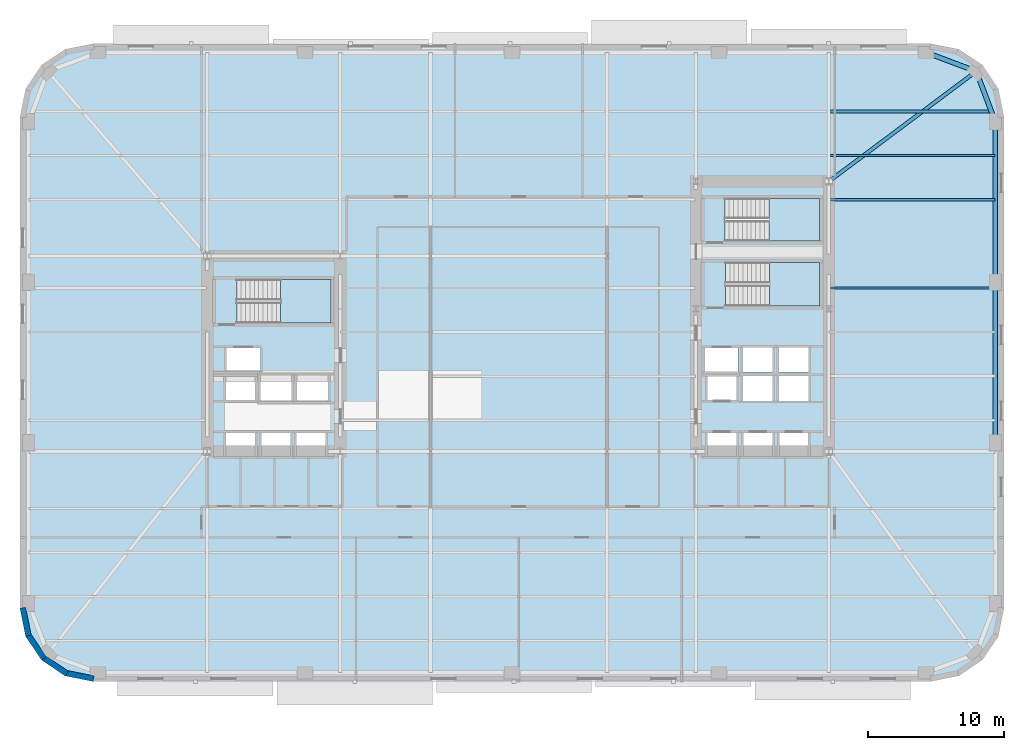
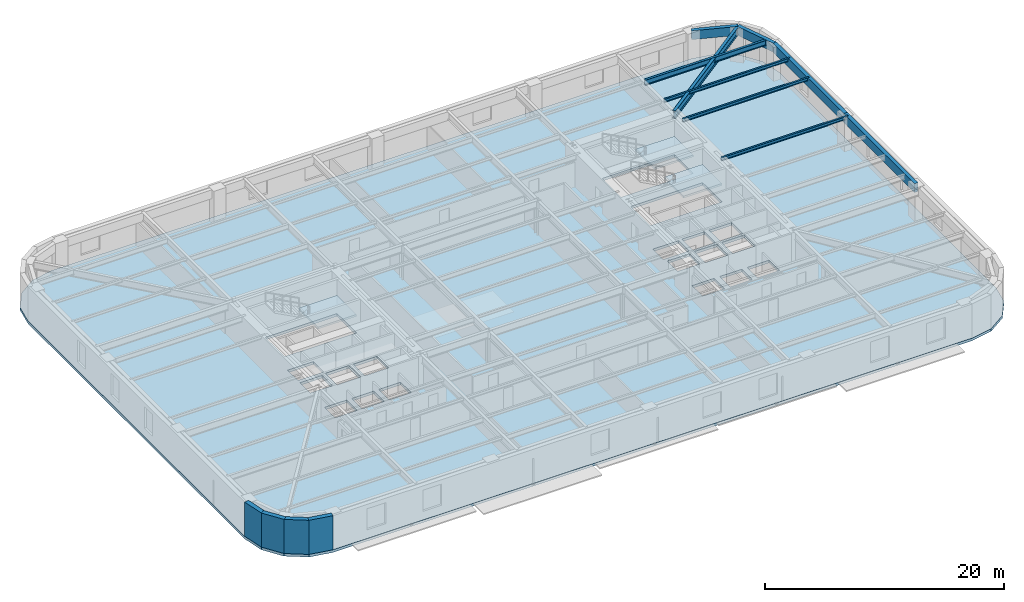
# One storey, part 3 of 15: 9 beams, 4 slabs, 4 walls, 3 elements without a shape of their own.
"""IFC4 building model written with IfcOpenShell, lengths in metres."""

from ifc_helpers import new_model, si_unit, direction, frame, frame_2d, origin, origin_2d, place, context, subcontext, project, spatial, polyline, rectangle, hollow_rectangle, i_section, outline, extrude, material, layer, layer_set, material_profile, profile_set, type_object, element, aggregate, save


model = new_model("IFC4")

# Units and contexts
model_context = context("Model", 3, precision=1e-05, world=origin(), true_north=direction((0.0, 1.0)))
body_context = subcontext(model_context, "Body", "Model", "MODEL_VIEW")
ifc_project = project(units=[si_unit("LENGTHUNIT", "METRE"), si_unit("AREAUNIT", "SQUARE_METRE"), si_unit("VOLUMEUNIT", "CUBIC_METRE"), si_unit("PLANEANGLEUNIT", "RADIAN"), si_unit("MASSUNIT", "GRAM", prefix="KILO")], contexts=[model_context])

# Site, building, storey
site_placement = place(None, origin())
site = spatial("IfcSite", under=ifc_project, at=site_placement, CompositionType="ELEMENT")
building_placement = place(site_placement, origin())
building = spatial("IfcBuilding", under=site, at=building_placement, Name="Kolvaren Arena Tower", CompositionType="ELEMENT")
storey_placement = place(building_placement, frame((0.0, 0.0, 64.5)))
storey = spatial("IfcBuildingStorey", under=building, at=storey_placement, Name="L13", CompositionType="ELEMENT", Elevation=64.5)

# Beams
ifc_material_1 = material(Name="Steel CSA G40.21 350W", Category="steel")
ifc_material_profile_1 = material_profile(ifc_material_1, i_section(OverallWidth=0.2119140625, OverallDepth=0.54296875, WebThickness=0.01318359375, FlangeThickness=0.0244140625, FilletRadius=0.013916015625, at=origin_2d()), Name="W530x150")
ifc_profile_set_1 = profile_set([ifc_material_profile_1], Name="Steel CSA G40.21 350W")
beam_type_1 = type_object("IfcBeamType", Name="BEAM-F1", PredefinedType="BEAM", material=ifc_profile_set_1)
beam_1_placement = place(storey_placement, frame((60.485107421875, 44.5, 3.20849609375), z_axis=(1.0, 0.0, 0.0), x_axis=(0.0, 1.0, 0.0)))
element("IfcBeam", 1, at=beam_1_placement, inside=storey, type_object=beam_type_1, Name="Composite Floor Beam (L13)", PredefinedType="BEAM", context=body_context, shape_type="SweptSolid", body=[
    extrude(i_section(OverallWidth=0.2119140625, OverallDepth=0.54296875, WebThickness=0.01318359375, FlangeThickness=0.0244140625, FilletRadius=0.013916015625, at=origin_2d()), origin(), (0.0, 0.0, 1.0), 11.83349609375),
])
ifc_material_profile_2 = material_profile(ifc_material_1, i_section(OverallWidth=0.27001953125, OverallDepth=0.77294921875, WebThickness=0.019287109375, FlangeThickness=0.033447265625, FilletRadius=0.01806640625, at=origin_2d()), Name="W760x257")
ifc_profile_set_2 = profile_set([ifc_material_profile_2], Name="Steel CSA G40.21 350W")
beam_type_2 = type_object("IfcBeamType", Name="GIRD-T1", PredefinedType="BEAM", material=ifc_profile_set_2)
beam_2_placement = place(storey_placement, frame((71.208740234375, 47.458740234375, 3.093505859375), z_axis=(-0.801249936397, -0.598329791523, 0.0), x_axis=(0.598329791523, -0.801249936397, 0.0)))
element("IfcBeam", 2, at=beam_2_placement, inside=storey, type_object=beam_type_2, Name="Corner Diagonal Tie Girder (L13)", PredefinedType="BEAM", context=body_context, shape_type="SweptSolid", body=[
    extrude(i_section(OverallWidth=0.27001953125, OverallDepth=0.77294921875, WebThickness=0.019287109375, FlangeThickness=0.033447265625, FilletRadius=0.01806640625, at=origin_2d()), origin(), (0.0, 0.0, 1.0), 13.55224609375),
])
ifc_material_profile_3 = material_profile(ifc_material_1, i_section(OverallWidth=0.1669921875, OverallDepth=0.31689453125, WebThickness=0.007568359375, FlangeThickness=0.01318359375, FilletRadius=0.010009765625, at=origin_2d()), Name="W310x52")
ifc_profile_set_3 = profile_set([ifc_material_profile_3], Name="Steel CSA G40.21 350W")
beam_type_3 = type_object("IfcBeamType", Name="JOIST-02", PredefinedType="JOIST", material=ifc_profile_set_3)
for number, where, z_axis, x_axis, name in (
    (3, (60.3701171875, 31.5, 3.321533203125), (1.0, 0.0, 0.0), (0.0, 1.0, 0.0), "Composite Floor Joist (L13)"),
    (4, (60.3701171875, 38.0, 3.321533203125), (1.0, 0.0, 0.0), (0.0, 1.0, 0.0), "Composite Floor Joist (L13)"),
):
    element("IfcBeam", number, at=place(storey_placement, frame(where, z_axis=z_axis, x_axis=x_axis)), inside=storey, type_object=beam_type_3, Name=name, PredefinedType="JOIST", context=body_context, shape_type="SweptSolid", body=[
        extrude(i_section(OverallWidth=0.1669921875, OverallDepth=0.31689453125, WebThickness=0.007568359375, FlangeThickness=0.01318359375, FilletRadius=0.010009765625, at=origin_2d()), origin(), (0.0, 0.0, 1.0), 12.22998046875),
    ])
beam_3_placement = place(storey_placement, frame((60.485107421875, 41.25, 3.321533203125), z_axis=(1.0, 0.0, 0.0), x_axis=(0.0, 1.0, 0.0)))
element("IfcBeam", 5, at=beam_3_placement, inside=storey, type_object=beam_type_3, Name="Composite Floor Joist (L13)", PredefinedType="JOIST", context=body_context, shape_type="SweptSolid", body=[
    extrude(i_section(OverallWidth=0.1669921875, OverallDepth=0.31689453125, WebThickness=0.007568359375, FlangeThickness=0.01318359375, FilletRadius=0.010009765625, at=origin_2d()), origin(), (0.0, 0.0, 1.0), 12.114990234375),
])
ifc_material_2 = material(Name="Steel CSA G40.21 350WT", Category="steel")
ifc_material_profile_4 = material_profile(ifc_material_2, hollow_rectangle(XDim=0.35009765625, YDim=0.89990234375, WallThickness=0.02001953125, at=origin_2d()), Name="HSS 900x350x20")
ifc_profile_set_4 = profile_set([ifc_material_profile_4], Name="Steel CSA G40.21 350WT")
beam_type_4 = type_object("IfcBeamType", Name="SPAND-01", PredefinedType="SPANDREL", material=ifc_profile_set_4)
beam_4_placement = place(storey_placement, frame((72.60009765625, 20.083251953125, 3.030029296875), z_axis=(0.0, 1.0, 0.0), x_axis=(-1.0, 0.0, 0.0)))
element("IfcBeam", 6, at=beam_4_placement, inside=storey, type_object=beam_type_4, Name="Perimeter Spandrel Beam (L13)", PredefinedType="SPANDREL", context=body_context, shape_type="SweptSolid", body=[
    extrude(hollow_rectangle(XDim=0.35009765625, YDim=0.89990234375, WallThickness=0.02001953125, at=origin_2d()), origin(), (0.0, 0.0, 1.0), 11.83349609375),
])
beam_5_placement = place(storey_placement, frame((72.60009765625, 31.916748046875, 3.030029296875), z_axis=(0.0, 1.0, 0.0), x_axis=(-1.0, 0.0, 0.0)))
element("IfcBeam", 7, at=beam_5_placement, inside=storey, type_object=beam_type_4, Name="Perimeter Spandrel Beam (L13)", PredefinedType="SPANDREL", context=body_context, shape_type="SweptSolid", body=[
    extrude(hollow_rectangle(XDim=0.35009765625, YDim=0.89990234375, WallThickness=0.02001953125, at=origin_2d()), origin(), (0.0, 0.0, 1.0), 11.833251953125),
])
for number, where, z_axis, x_axis, name in (
    (8, (72.60009765625, 43.75, 3.030029296875), (-0.351251771955, 0.93628104365, 0.0), (-0.93628104365, -0.351251771955, 0.0), "Perimeter Spandrel Beam (L13)"),
    (9, (71.208740234375, 47.458740234375, 3.030029296875), (-0.93628104365, 0.351251771955, 0.0), (-0.351251771955, -0.93628104365, 0.0), "Perimeter Spandrel Beam (L13)"),
):
    element("IfcBeam", number, at=place(storey_placement, frame(where, z_axis=z_axis, x_axis=x_axis)), inside=storey, type_object=beam_type_4, Name=name, PredefinedType="SPANDREL", context=body_context, shape_type="SweptSolid", body=[
        extrude(hollow_rectangle(XDim=0.35009765625, YDim=0.89990234375, WallThickness=0.02001953125, at=origin_2d()), origin(), (0.0, 0.0, 1.0), 3.961181640625),
    ])

# Stair, slab
ifc_material_3 = material(Name="Concrete 45 MPa", Category="concrete")
stair_type_1 = type_object("IfcStairType", Name="STAIR-CORE-165", PredefinedType="HALF_TURN_STAIR", material=ifc_material_3)
stair_1_placement = place(storey_placement, origin())
stair_1 = element("IfcStair", 10, at=stair_1_placement, inside=storey, type_object=stair_type_1, Name="L13 ST-W1", PredefinedType="HALF_TURN_STAIR")
ifc_layer_1 = layer(ifc_material_3, 0.199951171875)
ifc_layer_set_1 = layer_set([ifc_layer_1], Name="Concrete 45 MPa")
slab_type_1 = type_object("IfcSlabType", Name="SLAB-LAND", PredefinedType="LANDING", material=ifc_layer_set_1)
slab_1_placement = place(storey_placement, frame((0.0, 0.0, 1.675048828125)))
slab_1 = element("IfcSlab", 11, at=slab_1_placement, type_object=slab_type_1, Name="ST-W1 landing 1", PredefinedType="LANDING", context=body_context, shape_type="SweptSolid", body=[
    extrude(outline(polyline([(19.9599609375, 28.89990234375), (23.659912109375, 28.89990234375), (23.659912109375, 32.1298828125), (19.9599609375, 32.1298828125), (19.9599609375, 28.89990234375)])), origin(), (0.0, 0.0, 1.0), 0.199951171875),
])
aggregate(stair_1, [slab_1])

stair_2_placement = place(storey_placement, origin())
stair_2 = element("IfcStair", 12, at=stair_2_placement, inside=storey, type_object=stair_type_1, Name="L13 ST-E1", PredefinedType="HALF_TURN_STAIR")
slab_2_placement = place(storey_placement, frame((0.0, 0.0, 1.675048828125)))
slab_2 = element("IfcSlab", 13, at=slab_2_placement, type_object=slab_type_1, Name="ST-E1 landing 1", PredefinedType="LANDING", context=body_context, shape_type="SweptSolid", body=[
    extrude(outline(polyline([(55.9599609375, 30.14990234375), (59.659912109375, 30.14990234375), (59.659912109375, 33.3798828125), (55.9599609375, 33.3798828125), (55.9599609375, 30.14990234375)])), origin(), (0.0, 0.0, 1.0), 0.199951171875),
])
aggregate(stair_2, [slab_2])

stair_type_2 = type_object("IfcStairType", Name="STAIR-CORE-150", PredefinedType="HALF_TURN_STAIR", material=ifc_material_3)
stair_3_placement = place(storey_placement, origin())
stair_3 = element("IfcStair", 14, at=stair_3_placement, inside=storey, type_object=stair_type_2, Name="L13 ST-E2", PredefinedType="HALF_TURN_STAIR")
slab_3_placement = place(storey_placement, frame((0.0, 0.0, 1.675048828125)))
slab_3 = element("IfcSlab", 15, at=slab_3_placement, type_object=slab_type_1, Name="ST-E2 landing 1", PredefinedType="LANDING", context=body_context, shape_type="SweptSolid", body=[
    extrude(outline(polyline([(55.919921875, 34.949951171875), (59.659912109375, 34.949951171875), (59.659912109375, 38.10009765625), (55.919921875, 38.10009765625), (55.919921875, 34.949951171875)])), origin(), (0.0, 0.0, 1.0), 0.199951171875),
])
aggregate(stair_3, [slab_3])

# Slab
ifc_layer_2 = layer(ifc_material_3, 0.27001953125)
ifc_layer_set_2 = layer_set([ifc_layer_2], Name="Concrete 45 MPa")
slab_type_2 = type_object("IfcSlabType", Name="SLAB-OFF2", PredefinedType="FLOOR", material=ifc_layer_set_2)
slab_4_placement = place(storey_placement, frame((0.0, 0.0, -0.27001953125)))
element("IfcSlab", 16, at=slab_4_placement, inside=storey, type_object=slab_type_2, Name="L13 Primary Structural Slab", PredefinedType="FLOOR", context=body_context, shape_type="SweptSolid", body=[
    extrude(outline(polyline([(67.85009765625, 2.5), (69.91650390625, 2.9111328125), (71.66845703125, 4.08154296875), (72.8388671875, 5.83349609375), (73.25, 7.89990234375), (73.25, 44.10009765625), (72.8388671875, 46.16650390625), (71.66845703125, 47.91845703125), (69.91650390625, 49.0888671875), (67.85009765625, 49.5), (6.14990234375, 49.5), (4.08349609375, 49.0888671875), (2.33154296875, 47.91845703125), (1.1611328125, 46.16650390625), (0.75, 44.10009765625), (0.75, 7.89990234375), (1.1611328125, 5.83349609375), (2.33154296875, 4.08154296875), (4.08349609375, 2.9111328125), (6.14990234375, 2.5), (67.85009765625, 2.5)]), holes=[polyline([(15.93505859375, 19.0849609375), (15.93505859375, 20.81494140625), (18.06494140625, 20.81494140625), (18.06494140625, 19.0849609375), (15.93505859375, 19.0849609375)]), polyline([(18.534912109375, 19.0849609375), (18.534912109375, 20.81494140625), (20.6650390625, 20.81494140625), (20.6650390625, 19.0849609375), (18.534912109375, 19.0849609375)]), polyline([(21.135009765625, 19.0849609375), (21.135009765625, 20.81494140625), (23.264892578125, 20.81494140625), (23.264892578125, 19.0849609375), (21.135009765625, 19.0849609375)]), polyline([(51.39501953125, 19.0849609375), (51.39501953125, 20.81494140625), (53.52490234375, 20.81494140625), (53.52490234375, 19.0849609375), (51.39501953125, 19.0849609375)]), polyline([(54.054931640625, 19.0849609375), (54.054931640625, 20.81494140625), (56.18505859375, 20.81494140625), (56.18505859375, 19.0849609375), (54.054931640625, 19.0849609375)]), polyline([(56.695068359375, 19.0849609375), (56.695068359375, 20.81494140625), (58.824951171875, 20.81494140625), (58.824951171875, 19.0849609375), (56.695068359375, 19.0849609375)]), polyline([(18.4599609375, 23.135009765625), (18.4599609375, 25.06494140625), (20.739990234375, 25.06494140625), (20.739990234375, 23.135009765625), (18.4599609375, 23.135009765625)]), polyline([(21.159912109375, 23.135009765625), (21.159912109375, 25.06494140625), (23.43994140625, 25.06494140625), (23.43994140625, 23.135009765625), (21.159912109375, 23.135009765625)]), polyline([(54.030029296875, 25.014892578125), (56.2099609375, 25.014892578125), (56.2099609375, 23.18505859375), (54.030029296875, 23.18505859375), (54.030029296875, 25.014892578125)]), polyline([(56.669921875, 25.014892578125), (58.85009765625, 25.014892578125), (58.85009765625, 23.18505859375), (56.669921875, 23.18505859375), (56.669921875, 25.014892578125)]), polyline([(15.93505859375, 23.235107421875), (15.93505859375, 24.965087890625), (18.06494140625, 24.965087890625), (18.06494140625, 23.235107421875), (15.93505859375, 23.235107421875)]), polyline([(51.39501953125, 24.965087890625), (53.52490234375, 24.965087890625), (53.52490234375, 23.235107421875), (51.39501953125, 23.235107421875), (51.39501953125, 24.965087890625)]), polyline([(54.030029296875, 25.284912109375), (54.030029296875, 27.114990234375), (56.2099609375, 27.114990234375), (56.2099609375, 25.284912109375), (54.030029296875, 25.284912109375)]), polyline([(56.669921875, 25.284912109375), (56.669921875, 27.114990234375), (58.85009765625, 27.114990234375), (58.85009765625, 25.284912109375), (56.669921875, 25.284912109375)]), polyline([(15.9599609375, 27.06494140625), (18.43994140625, 27.06494140625), (18.43994140625, 25.3349609375), (15.9599609375, 25.3349609375), (15.9599609375, 27.06494140625)]), polyline([(51.219970703125, 25.3349609375), (51.219970703125, 27.06494140625), (53.699951171875, 27.06494140625), (53.699951171875, 25.3349609375), (51.219970703125, 25.3349609375)]), polyline([(16.735107421875, 28.89990234375), (16.735107421875, 32.1298828125), (23.659912109375, 32.1298828125), (23.659912109375, 28.89990234375), (16.735107421875, 28.89990234375)]), polyline([(52.735107421875, 33.3798828125), (59.659912109375, 33.3798828125), (59.659912109375, 30.14990234375), (52.735107421875, 30.14990234375), (52.735107421875, 33.3798828125)]), polyline([(52.695068359375, 38.10009765625), (59.659912109375, 38.10009765625), (59.659912109375, 34.949951171875), (52.695068359375, 34.949951171875), (52.695068359375, 38.10009765625)])]), origin(), (0.0, 0.0, 1.0), 0.27001953125),
])

# Walls
ifc_material_4 = material(Name="Precast concrete C50/60", Category="concrete")
ifc_layer_3 = layer(ifc_material_4, 0.419921875)
ifc_layer_set_3 = layer_set([ifc_layer_3], Name="Precast concrete C50/60")
wall_type = type_object("IfcWallType", Name="EXT-PIER1", PredefinedType="SOLIDWALL", material=ifc_layer_set_3)
for number, where, z_axis, x_axis, name in (
    (17, (1.3671875, 5.87451171875, 0.0), (0.0, 0.0, 1.0), (-0.195135546048, 0.9807762837, 0.0), "Exterior Precast Masonry-Frame Wall (L13)"),
    (18, (2.506103515625, 4.1982421875, 0.0), (0.0, 0.0, 1.0), (-0.555502146192, 0.831515102434, 0.0), "Exterior Precast Masonry-Frame Wall (L13)"),
    (19, (4.2001953125, 3.085693359375, 0.0), (0.0, 0.0, 1.0), (-0.831515102434, 0.555502146192, 0.0), "Exterior Precast Masonry-Frame Wall (L13)"),
    (20, (6.19091796875, 2.7060546875, 0.0), (0.0, 0.0, 1.0), (-0.9807762837, 0.195135546048, 0.0), "Exterior Precast Masonry-Frame Wall (L13)"),
):
    element("IfcWall", number, at=place(storey_placement, frame(where, z_axis=z_axis, x_axis=x_axis)), inside=storey, type_object=wall_type, Name=name, PredefinedType="SOLIDWALL", context=body_context, shape_type="SweptSolid", body=[
        extrude(rectangle(XDim=2.10693359375, YDim=0.419921875, at=frame_2d((1.053466796875, 0.0))), origin(), (0.0, 0.0, 1.0), 3.47998046875),
    ])

save(model, "model.ifc")
